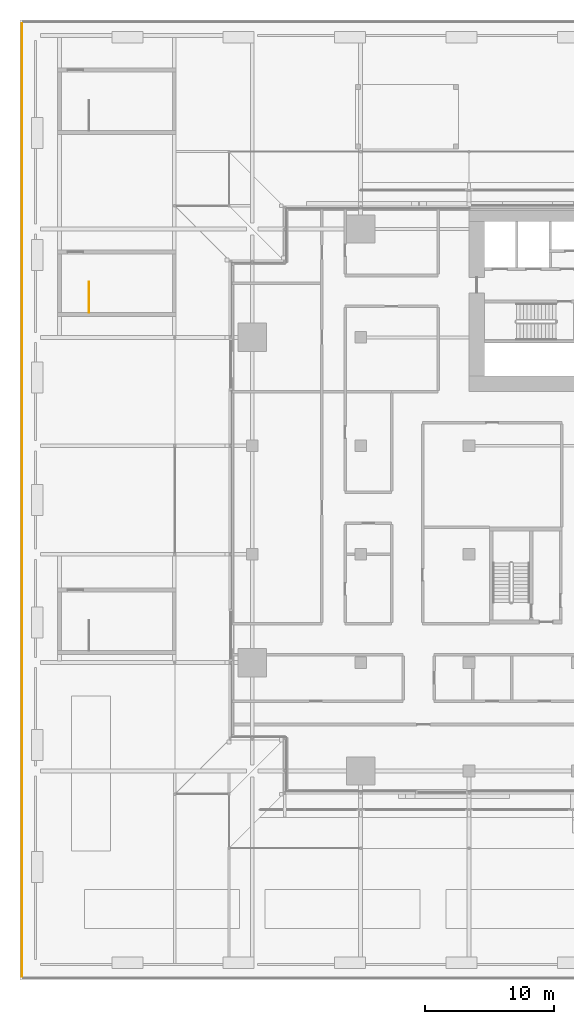
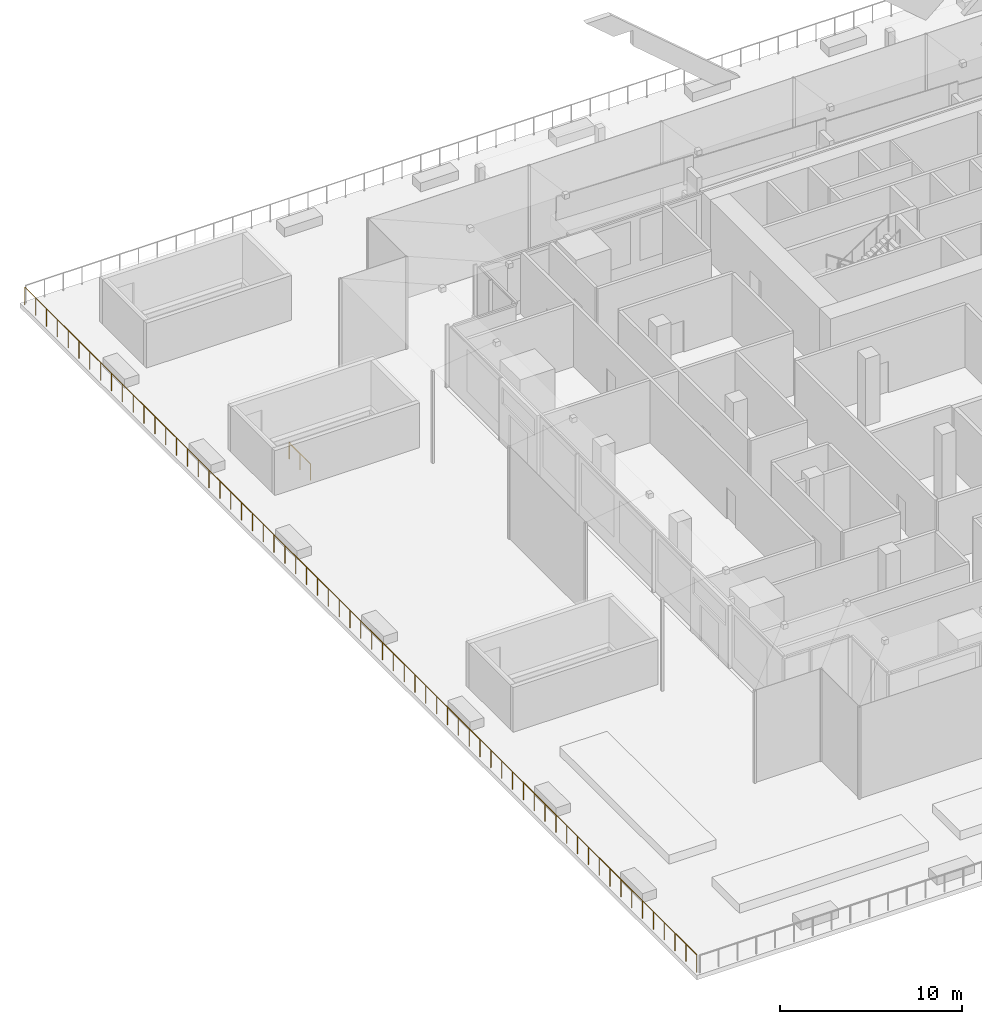
# One storey, part 36 of 60: 2 railings.
"""IFC4 building model written with IfcOpenShell, lengths in metres."""

from ifc_helpers import new_model, si_unit, direction, frame, origin, origin_2d, place, context, subcontext, project, spatial, circle, extrude, material, type_object, element, save


model = new_model("IFC4")

# Units and contexts
model_context = context("Model", 3, precision=1e-05, world=origin(), true_north=direction((0.0, 1.0)))
body_context = subcontext(model_context, "Body", "Model", "MODEL_VIEW")
ifc_project = project(units=[si_unit("LENGTHUNIT", "METRE"), si_unit("AREAUNIT", "SQUARE_METRE"), si_unit("VOLUMEUNIT", "CUBIC_METRE"), si_unit("PLANEANGLEUNIT", "RADIAN"), si_unit("MASSUNIT", "GRAM", prefix="KILO")], contexts=[model_context])

# Site, building, storey
site_placement = place(None, origin())
site = spatial("IfcSite", under=ifc_project, at=site_placement, CompositionType="ELEMENT")
building_placement = place(site_placement, origin())
building = spatial("IfcBuilding", under=site, at=building_placement, Name="Saffron Gate Tower", CompositionType="ELEMENT")
storey_placement = place(building_placement, frame((0.0, 0.0, 19.199951171875)))
storey = spatial("IfcBuildingStorey", under=building, at=storey_placement, Name="L03", CompositionType="ELEMENT", Elevation=19.199951171875)

# Railings
ifc_material = material(Name="Stainless steel and laminated glass", Category="steel")
railing_type = type_object("IfcRailingType", Name="CR1 Stair guard 1100", PredefinedType="GUARDRAIL", material=ifc_material)
railing_1_placement = place(storey_placement, frame((37.14990234375, 67.324951171875, 0.0)))
element("IfcRailing", 1, at=railing_1_placement, inside=storey, type_object=railing_type, Name="L03 ST-G top well guard 1", PredefinedType="GUARDRAIL", context=body_context, shape_type="SweptSolid", body=[
    extrude(circle(Radius=0.02392578125, at=origin_2d()), frame((0.0, 0.0, 1.076171875), z_axis=(0.0, 1.0, 0.0), x_axis=(-1.0, 0.0, 0.0)), (0.0, 0.0, 1.0), 2.35009765625),
    extrude(circle(Radius=0.02099609375, at=origin_2d()), origin(), (0.0, 0.0, 1.0), 1.052001953125),
    extrude(circle(Radius=0.02099609375, at=origin_2d()), frame((0.0, 1.175048828125, 0.0)), (0.0, 0.0, 1.0), 1.052001953125),
    extrude(circle(Radius=0.02099609375, at=origin_2d()), frame((0.0, 2.35009765625, 0.0)), (0.0, 0.0, 1.0), 1.052001953125),
])
railing_2_placement = place(storey_placement, frame((31.949951171875, 89.72998046875, 0.0)))
element("IfcRailing", 2, at=railing_2_placement, inside=storey, Name="GUARD play deck", PredefinedType="GUARDRAIL", context=body_context, shape_type="SweptSolid", body=[
    extrude(circle(Radius=0.02392578125, at=origin_2d()), frame((0.0, 0.0, 1.17578125), z_axis=(0.0, -1.0, 0.0), x_axis=(1.0, 0.0, 0.0)), (0.0, 0.0, 1.0), 73.85986328125),
    extrude(circle(Radius=0.02099609375, at=origin_2d()), origin(), (0.0, 0.0, 1.0), 1.15185546875),
    extrude(circle(Radius=0.02099609375, at=origin_2d()), frame((0.0, -1.19140625, 0.0)), (0.0, 0.0, 1.0), 1.15185546875),
    extrude(circle(Radius=0.02099609375, at=origin_2d()), frame((0.0, -2.382568359375, 0.0)), (0.0, 0.0, 1.0), 1.15185546875),
    extrude(circle(Radius=0.02099609375, at=origin_2d()), frame((0.0, -3.573974609375, 0.0)), (0.0, 0.0, 1.0), 1.15185546875),
    extrude(circle(Radius=0.02099609375, at=origin_2d()), frame((0.0, -4.76513671875, 0.0)), (0.0, 0.0, 1.0), 1.15185546875),
    extrude(circle(Radius=0.02099609375, at=origin_2d()), frame((0.0, -5.95654296875, 0.0)), (0.0, 0.0, 1.0), 1.15185546875),
    extrude(circle(Radius=0.02099609375, at=origin_2d()), frame((0.0, -7.147705078125, 0.0)), (0.0, 0.0, 1.0), 1.15185546875),
    extrude(circle(Radius=0.02099609375, at=origin_2d()), frame((0.0, -8.339111328125, 0.0)), (0.0, 0.0, 1.0), 1.15185546875),
    extrude(circle(Radius=0.02099609375, at=origin_2d()), frame((0.0, -9.5302734375, 0.0)), (0.0, 0.0, 1.0), 1.15185546875),
    extrude(circle(Radius=0.02099609375, at=origin_2d()), frame((0.0, -10.7216796875, 0.0)), (0.0, 0.0, 1.0), 1.15185546875),
    extrude(circle(Radius=0.02099609375, at=origin_2d()), frame((0.0, -11.912841796875, 0.0)), (0.0, 0.0, 1.0), 1.15185546875),
    extrude(circle(Radius=0.02099609375, at=origin_2d()), frame((0.0, -13.104248046875, 0.0)), (0.0, 0.0, 1.0), 1.15185546875),
    extrude(circle(Radius=0.02099609375, at=origin_2d()), frame((0.0, -14.29541015625, 0.0)), (0.0, 0.0, 1.0), 1.15185546875),
    extrude(circle(Radius=0.02099609375, at=origin_2d()), frame((0.0, -15.48681640625, 0.0)), (0.0, 0.0, 1.0), 1.15185546875),
    extrude(circle(Radius=0.02099609375, at=origin_2d()), frame((0.0, -16.677978515625, 0.0)), (0.0, 0.0, 1.0), 1.15185546875),
    extrude(circle(Radius=0.02099609375, at=origin_2d()), frame((0.0, -17.869384765625, 0.0)), (0.0, 0.0, 1.0), 1.15185546875),
    extrude(circle(Radius=0.02099609375, at=origin_2d()), frame((0.0, -19.060546875, 0.0)), (0.0, 0.0, 1.0), 1.15185546875),
    extrude(circle(Radius=0.02099609375, at=origin_2d()), frame((0.0, -20.251953125, 0.0)), (0.0, 0.0, 1.0), 1.15185546875),
    extrude(circle(Radius=0.02099609375, at=origin_2d()), frame((0.0, -21.443115234375, 0.0)), (0.0, 0.0, 1.0), 1.15185546875),
    extrude(circle(Radius=0.02099609375, at=origin_2d()), frame((0.0, -22.634521484375, 0.0)), (0.0, 0.0, 1.0), 1.15185546875),
    extrude(circle(Radius=0.02099609375, at=origin_2d()), frame((0.0, -23.82568359375, 0.0)), (0.0, 0.0, 1.0), 1.15185546875),
    extrude(circle(Radius=0.02099609375, at=origin_2d()), frame((0.0, -25.01708984375, 0.0)), (0.0, 0.0, 1.0), 1.15185546875),
    extrude(circle(Radius=0.02099609375, at=origin_2d()), frame((0.0, -26.208251953125, 0.0)), (0.0, 0.0, 1.0), 1.15185546875),
    extrude(circle(Radius=0.02099609375, at=origin_2d()), frame((0.0, -27.399658203125, 0.0)), (0.0, 0.0, 1.0), 1.15185546875),
    extrude(circle(Radius=0.02099609375, at=origin_2d()), frame((0.0, -28.5908203125, 0.0)), (0.0, 0.0, 1.0), 1.15185546875),
    extrude(circle(Radius=0.02099609375, at=origin_2d()), frame((0.0, -29.7822265625, 0.0)), (0.0, 0.0, 1.0), 1.15185546875),
    extrude(circle(Radius=0.02099609375, at=origin_2d()), frame((0.0, -30.973388671875, 0.0)), (0.0, 0.0, 1.0), 1.15185546875),
    extrude(circle(Radius=0.02099609375, at=origin_2d()), frame((0.0, -32.164794921875, 0.0)), (0.0, 0.0, 1.0), 1.15185546875),
    extrude(circle(Radius=0.02099609375, at=origin_2d()), frame((0.0, -33.35595703125, 0.0)), (0.0, 0.0, 1.0), 1.15185546875),
    extrude(circle(Radius=0.02099609375, at=origin_2d()), frame((0.0, -34.54736328125, 0.0)), (0.0, 0.0, 1.0), 1.15185546875),
    extrude(circle(Radius=0.02099609375, at=origin_2d()), frame((0.0, -35.738525390625, 0.0)), (0.0, 0.0, 1.0), 1.15185546875),
    extrude(circle(Radius=0.02099609375, at=origin_2d()), frame((0.0, -36.929931640625, 0.0)), (0.0, 0.0, 1.0), 1.15185546875),
    extrude(circle(Radius=0.02099609375, at=origin_2d()), frame((0.0, -38.121337890625, 0.0)), (0.0, 0.0, 1.0), 1.15185546875),
    extrude(circle(Radius=0.02099609375, at=origin_2d()), frame((0.0, -39.3125, 0.0)), (0.0, 0.0, 1.0), 1.15185546875),
    extrude(circle(Radius=0.02099609375, at=origin_2d()), frame((0.0, -40.50390625, 0.0)), (0.0, 0.0, 1.0), 1.15185546875),
    extrude(circle(Radius=0.02099609375, at=origin_2d()), frame((0.0, -41.695068359375, 0.0)), (0.0, 0.0, 1.0), 1.15185546875),
    extrude(circle(Radius=0.02099609375, at=origin_2d()), frame((0.0, -42.886474609375, 0.0)), (0.0, 0.0, 1.0), 1.15185546875),
    extrude(circle(Radius=0.02099609375, at=origin_2d()), frame((0.0, -44.07763671875, 0.0)), (0.0, 0.0, 1.0), 1.15185546875),
    extrude(circle(Radius=0.02099609375, at=origin_2d()), frame((0.0, -45.26904296875, 0.0)), (0.0, 0.0, 1.0), 1.15185546875),
    extrude(circle(Radius=0.02099609375, at=origin_2d()), frame((0.0, -46.460205078125, 0.0)), (0.0, 0.0, 1.0), 1.15185546875),
    extrude(circle(Radius=0.02099609375, at=origin_2d()), frame((0.0, -47.651611328125, 0.0)), (0.0, 0.0, 1.0), 1.15185546875),
    extrude(circle(Radius=0.02099609375, at=origin_2d()), frame((0.0, -48.8427734375, 0.0)), (0.0, 0.0, 1.0), 1.15185546875),
    extrude(circle(Radius=0.02099609375, at=origin_2d()), frame((0.0, -50.0341796875, 0.0)), (0.0, 0.0, 1.0), 1.15185546875),
    extrude(circle(Radius=0.02099609375, at=origin_2d()), frame((0.0, -51.225341796875, 0.0)), (0.0, 0.0, 1.0), 1.15185546875),
    extrude(circle(Radius=0.02099609375, at=origin_2d()), frame((0.0, -52.416748046875, 0.0)), (0.0, 0.0, 1.0), 1.15185546875),
    extrude(circle(Radius=0.02099609375, at=origin_2d()), frame((0.0, -53.60791015625, 0.0)), (0.0, 0.0, 1.0), 1.15185546875),
    extrude(circle(Radius=0.02099609375, at=origin_2d()), frame((0.0, -54.79931640625, 0.0)), (0.0, 0.0, 1.0), 1.15185546875),
    extrude(circle(Radius=0.02099609375, at=origin_2d()), frame((0.0, -55.990478515625, 0.0)), (0.0, 0.0, 1.0), 1.15185546875),
    extrude(circle(Radius=0.02099609375, at=origin_2d()), frame((0.0, -57.181884765625, 0.0)), (0.0, 0.0, 1.0), 1.15185546875),
    extrude(circle(Radius=0.02099609375, at=origin_2d()), frame((0.0, -58.373046875, 0.0)), (0.0, 0.0, 1.0), 1.15185546875),
    extrude(circle(Radius=0.02099609375, at=origin_2d()), frame((0.0, -59.564453125, 0.0)), (0.0, 0.0, 1.0), 1.15185546875),
    extrude(circle(Radius=0.02099609375, at=origin_2d()), frame((0.0, -60.755615234375, 0.0)), (0.0, 0.0, 1.0), 1.15185546875),
    extrude(circle(Radius=0.02099609375, at=origin_2d()), frame((0.0, -61.947021484375, 0.0)), (0.0, 0.0, 1.0), 1.15185546875),
    extrude(circle(Radius=0.02099609375, at=origin_2d()), frame((0.0, -63.13818359375, 0.0)), (0.0, 0.0, 1.0), 1.15185546875),
    extrude(circle(Radius=0.02099609375, at=origin_2d()), frame((0.0, -64.32958984375, 0.0)), (0.0, 0.0, 1.0), 1.15185546875),
    extrude(circle(Radius=0.02099609375, at=origin_2d()), frame((0.0, -65.520751953125, 0.0)), (0.0, 0.0, 1.0), 1.15185546875),
    extrude(circle(Radius=0.02099609375, at=origin_2d()), frame((0.0, -66.712158203125, 0.0)), (0.0, 0.0, 1.0), 1.15185546875),
    extrude(circle(Radius=0.02099609375, at=origin_2d()), frame((0.0, -67.9033203125, 0.0)), (0.0, 0.0, 1.0), 1.15185546875),
    extrude(circle(Radius=0.02099609375, at=origin_2d()), frame((0.0, -69.0947265625, 0.0)), (0.0, 0.0, 1.0), 1.15185546875),
    extrude(circle(Radius=0.02099609375, at=origin_2d()), frame((0.0, -70.285888671875, 0.0)), (0.0, 0.0, 1.0), 1.15185546875),
    extrude(circle(Radius=0.02099609375, at=origin_2d()), frame((0.0, -71.477294921875, 0.0)), (0.0, 0.0, 1.0), 1.15185546875),
    extrude(circle(Radius=0.02099609375, at=origin_2d()), frame((0.0, -72.66845703125, 0.0)), (0.0, 0.0, 1.0), 1.15185546875),
    extrude(circle(Radius=0.02099609375, at=origin_2d()), frame((0.0, -73.85986328125, 0.0)), (0.0, 0.0, 1.0), 1.15185546875),
])

save(model, "model.ifc")
